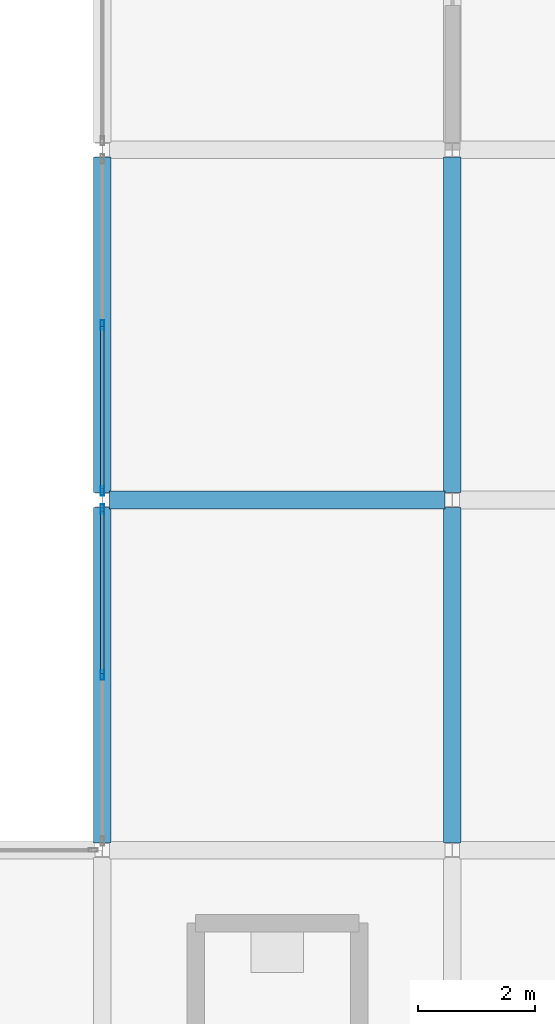
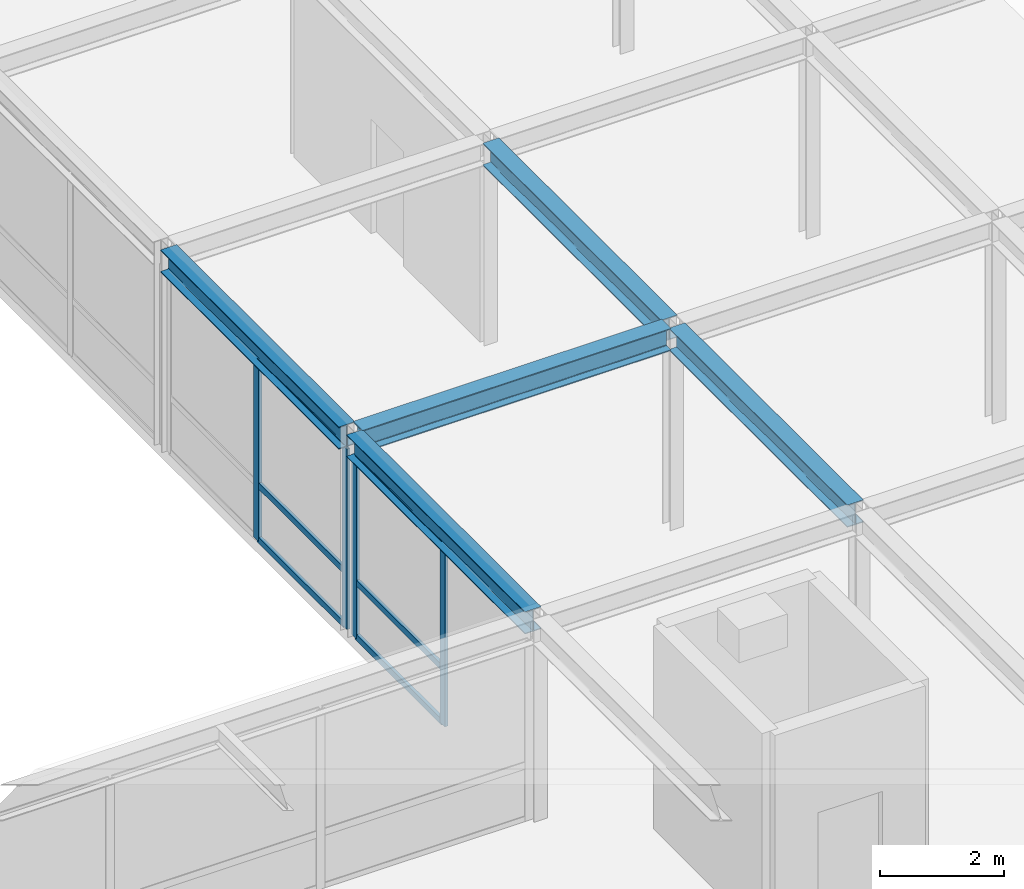
# One storey, part 47 of 111: 10 members, 5 beams, 2 elements without a shape of their own.
"""IFC4 building model written with IfcOpenShell, lengths in metres."""

from ifc_helpers import new_model, si_unit, direction, frame, origin, origin_2d, place, context, subcontext, project, spatial, hollow_rectangle, i_section, extrude, material, layer, layer_set, material_profile, profile_set, type_object, element, aggregate, save


model = new_model("IFC4")

# Units and contexts
model_context = context("Model", 3, precision=1e-05, world=origin(), true_north=direction((0.0, 1.0)))
body_context = subcontext(model_context, "Body", "Model", "MODEL_VIEW")
ifc_project = project(units=[si_unit("LENGTHUNIT", "METRE"), si_unit("AREAUNIT", "SQUARE_METRE"), si_unit("VOLUMEUNIT", "CUBIC_METRE"), si_unit("PLANEANGLEUNIT", "RADIAN"), si_unit("MASSUNIT", "GRAM", prefix="KILO")], contexts=[model_context])

# Site, building, storey
site_placement = place(None, origin())
site = spatial("IfcSite", under=ifc_project, at=site_placement, CompositionType="ELEMENT")
building_placement = place(site_placement, origin())
building = spatial("IfcBuilding", under=site, at=building_placement, Name="Zlatovratsky Civic Hall", CompositionType="ELEMENT")
storey_placement = place(building_placement, frame((0.0, 0.0, 16.5)))
storey = spatial("IfcBuildingStorey", under=building, at=storey_placement, Name="L04", CompositionType="ELEMENT", Elevation=16.5)

# Beams
ifc_material_1 = material(Name="Steel S355", Category="steel")
ifc_material_profile_1 = material_profile(ifc_material_1, i_section(OverallWidth=0.300048828125, OverallDepth=0.43994140625, WebThickness=0.010986328125, FlangeThickness=0.01806640625, FilletRadius=0.02197265625, at=origin_2d()), Name="45Sh1")
ifc_profile_set_1 = profile_set([ifc_material_profile_1], Name="Steel S355")
beam_type = type_object("IfcBeamType", Name="Beam_TowerLow_45Sh1", PredefinedType="BEAM", material=ifc_profile_set_1)
for number, where, z_axis, x_axis, name in (
    (1, (48.125, 36.0, 3.780029296875), (1.0, 0.0, 0.0), (0.0, 1.0, 0.0), "BM-3276"),
    (2, (48.0, 30.125, 3.780029296875), (0.0, 1.0, 0.0), (-1.0, 0.0, 0.0), "BM-3588"),
    (3, (48.0, 36.125, 3.780029296875), (0.0, 1.0, 0.0), (-1.0, 0.0, 0.0), "BM-3589"),
    (4, (54.0, 30.125, 3.780029296875), (0.0, 1.0, 0.0), (-1.0, 0.0, 0.0), "BM-3605"),
    (5, (54.0, 36.125, 3.780029296875), (0.0, 1.0, 0.0), (-1.0, 0.0, 0.0), "BM-3606"),
):
    element("IfcBeam", number, at=place(storey_placement, frame(where, z_axis=z_axis, x_axis=x_axis)), inside=storey, type_object=beam_type, Name=name, PredefinedType="BEAM", context=body_context, shape_type="SweptSolid", body=[
        extrude(i_section(OverallWidth=0.300048828125, OverallDepth=0.43994140625, WebThickness=0.010986328125, FlangeThickness=0.01806640625, FilletRadius=0.02197265625, at=origin_2d()), origin(), (0.0, 0.0, 1.0), 5.75),
    ])

# Curtain wall, members
ifc_material_2 = material(Name="Anodised bronze aluminium", Category="aluminium")
ifc_layer = layer(ifc_material_2, 0.159912109375)
ifc_layer_set = layer_set([ifc_layer], Name="Anodised bronze aluminium")
curtain_wall_type = type_object("IfcCurtainWallType", Name="CurtainWall_Bronze_5750x3550_18", PredefinedType="NOTDEFINED", material=ifc_layer_set)
curtain_wall_1_placement = place(storey_placement, origin())
curtain_wall_1 = element("IfcCurtainWall", 6, at=curtain_wall_1_placement, inside=storey, type_object=curtain_wall_type, Name="CW-105", PredefinedType="NOTDEFINED")
ifc_material_profile_2 = material_profile(ifc_material_2, hollow_rectangle(XDim=0.06005859375, YDim=0.159912109375, WallThickness=0.00390625, at=origin_2d()), Name="ALU 60x160x4")
ifc_profile_set_2 = profile_set([ifc_material_profile_2], Name="Anodised bronze aluminium")
member_type_1 = type_object("IfcMemberType", Name="CW_Mullion_60x160", PredefinedType="MULLION", material=ifc_profile_set_2)
member_1_placement = place(storey_placement, frame((48.0, 33.0, 0.0), z_axis=(0.0, 0.0, 1.0), x_axis=(-1.0, 0.0, 0.0)))
member_1 = element("IfcMember", 7, at=member_1_placement, type_object=member_type_1, Name="CW-18 mullion 2", PredefinedType="MULLION", context=body_context, shape_type="SweptSolid", body=[
    extrude(hollow_rectangle(XDim=0.06005859375, YDim=0.159912109375, WallThickness=0.00390625, at=origin_2d()), origin(), (0.0, 0.0, 1.0), 3.550048828125),
])
member_2_placement = place(storey_placement, frame((48.0, 35.844970703125, 0.0), z_axis=(0.0, 0.0, 1.0), x_axis=(-1.0, 0.0, 0.0)))
member_2 = element("IfcMember", 8, at=member_2_placement, type_object=member_type_1, Name="CW-18 mullion 3", PredefinedType="MULLION", context=body_context, shape_type="SweptSolid", body=[
    extrude(hollow_rectangle(XDim=0.06005859375, YDim=0.159912109375, WallThickness=0.00390625, at=origin_2d()), origin(), (0.0, 0.0, 1.0), 3.550048828125),
])

curtain_wall_2_placement = place(storey_placement, origin())
curtain_wall_2 = element("IfcCurtainWall", 9, at=curtain_wall_2_placement, inside=storey, type_object=curtain_wall_type, Name="CW-106", PredefinedType="NOTDEFINED")
member_3_placement = place(storey_placement, frame((48.0, 36.155029296875, 0.0), z_axis=(0.0, 0.0, 1.0), x_axis=(-1.0, 0.0, 0.0)))
member_3 = element("IfcMember", 10, at=member_3_placement, type_object=member_type_1, Name="CW-18 mullion 1", PredefinedType="MULLION", context=body_context, shape_type="SweptSolid", body=[
    extrude(hollow_rectangle(XDim=0.06005859375, YDim=0.159912109375, WallThickness=0.00390625, at=origin_2d()), origin(), (0.0, 0.0, 1.0), 3.550048828125),
])
member_4_placement = place(storey_placement, frame((48.0, 39.0, 0.0), z_axis=(0.0, 0.0, 1.0), x_axis=(-1.0, 0.0, 0.0)))
member_4 = element("IfcMember", 11, at=member_4_placement, type_object=member_type_1, Name="CW-18 mullion 2", PredefinedType="MULLION", context=body_context, shape_type="SweptSolid", body=[
    extrude(hollow_rectangle(XDim=0.06005859375, YDim=0.159912109375, WallThickness=0.00390625, at=origin_2d()), origin(), (0.0, 0.0, 1.0), 3.550048828125),
])

# Member
ifc_material_profile_3 = material_profile(ifc_material_2, hollow_rectangle(XDim=0.06005859375, YDim=0.1201171875, WallThickness=0.00390625, at=origin_2d()), Name="ALU 60x120x4")
ifc_profile_set_3 = profile_set([ifc_material_profile_3], Name="Anodised bronze aluminium")
member_type_2 = type_object("IfcMemberType", Name="CW_Transom_60x120", PredefinedType="USERDEFINED", material=ifc_profile_set_3)
member_5_placement = place(storey_placement, frame((48.0, 33.030029296875, 0.030029296875), z_axis=(0.0, 1.0, 0.0), x_axis=(-1.0, 0.0, 0.0)))
member_5 = element("IfcMember", 12, at=member_5_placement, type_object=member_type_2, Name="CW-18 transom 2.1", ObjectType="TRANSOM", PredefinedType="USERDEFINED", context=body_context, shape_type="SweptSolid", body=[
    extrude(hollow_rectangle(XDim=0.06005859375, YDim=0.1201171875, WallThickness=0.00390625, at=origin_2d()), origin(), (0.0, 0.0, 1.0), 2.784912109375),
])

member_6_placement = place(storey_placement, frame((48.0, 33.030029296875, 1.10009765625), z_axis=(0.0, 1.0, 0.0), x_axis=(-1.0, 0.0, 0.0)))
member_6 = element("IfcMember", 13, at=member_6_placement, type_object=member_type_2, Name="CW-18 transom 2.2", ObjectType="TRANSOM", PredefinedType="USERDEFINED", context=body_context, shape_type="SweptSolid", body=[
    extrude(hollow_rectangle(XDim=0.06005859375, YDim=0.1201171875, WallThickness=0.00390625, at=origin_2d()), origin(), (0.0, 0.0, 1.0), 2.784912109375),
])

member_7_placement = place(storey_placement, frame((48.0, 33.030029296875, 3.52001953125), z_axis=(0.0, 1.0, 0.0), x_axis=(-1.0, 0.0, 0.0)))
member_7 = element("IfcMember", 14, at=member_7_placement, type_object=member_type_2, Name="CW-18 transom 2.3", ObjectType="TRANSOM", PredefinedType="USERDEFINED", context=body_context, shape_type="SweptSolid", body=[
    extrude(hollow_rectangle(XDim=0.06005859375, YDim=0.1201171875, WallThickness=0.00390625, at=origin_2d()), origin(), (0.0, 0.0, 1.0), 2.784912109375),
])

aggregate(curtain_wall_1, [member_1, member_2, member_5, member_6, member_7])

member_8_placement = place(storey_placement, frame((48.0, 36.18505859375, 0.030029296875), z_axis=(0.0, 1.0, 0.0), x_axis=(-1.0, 0.0, 0.0)))
member_8 = element("IfcMember", 15, at=member_8_placement, type_object=member_type_2, Name="CW-18 transom 1.1", ObjectType="TRANSOM", PredefinedType="USERDEFINED", context=body_context, shape_type="SweptSolid", body=[
    extrude(hollow_rectangle(XDim=0.06005859375, YDim=0.1201171875, WallThickness=0.00390625, at=origin_2d()), origin(), (0.0, 0.0, 1.0), 2.784912109375),
])

member_9_placement = place(storey_placement, frame((48.0, 36.18505859375, 1.10009765625), z_axis=(0.0, 1.0, 0.0), x_axis=(-1.0, 0.0, 0.0)))
member_9 = element("IfcMember", 16, at=member_9_placement, type_object=member_type_2, Name="CW-18 transom 1.2", ObjectType="TRANSOM", PredefinedType="USERDEFINED", context=body_context, shape_type="SweptSolid", body=[
    extrude(hollow_rectangle(XDim=0.06005859375, YDim=0.1201171875, WallThickness=0.00390625, at=origin_2d()), origin(), (0.0, 0.0, 1.0), 2.784912109375),
])

member_10_placement = place(storey_placement, frame((48.0, 36.18505859375, 3.52001953125), z_axis=(0.0, 1.0, 0.0), x_axis=(-1.0, 0.0, 0.0)))
member_10 = element("IfcMember", 17, at=member_10_placement, type_object=member_type_2, Name="CW-18 transom 1.3", ObjectType="TRANSOM", PredefinedType="USERDEFINED", context=body_context, shape_type="SweptSolid", body=[
    extrude(hollow_rectangle(XDim=0.06005859375, YDim=0.1201171875, WallThickness=0.00390625, at=origin_2d()), origin(), (0.0, 0.0, 1.0), 2.784912109375),
])

aggregate(curtain_wall_2, [member_3, member_4, member_8, member_9, member_10])

save(model, "model.ifc")
